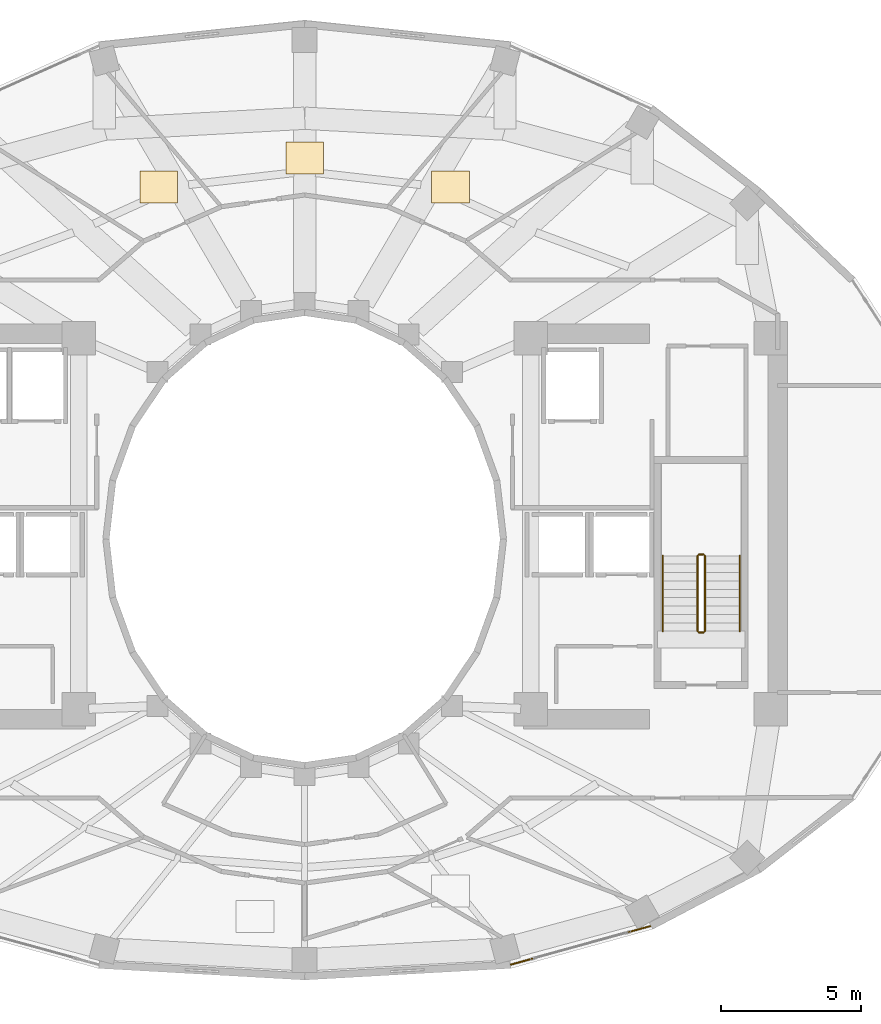
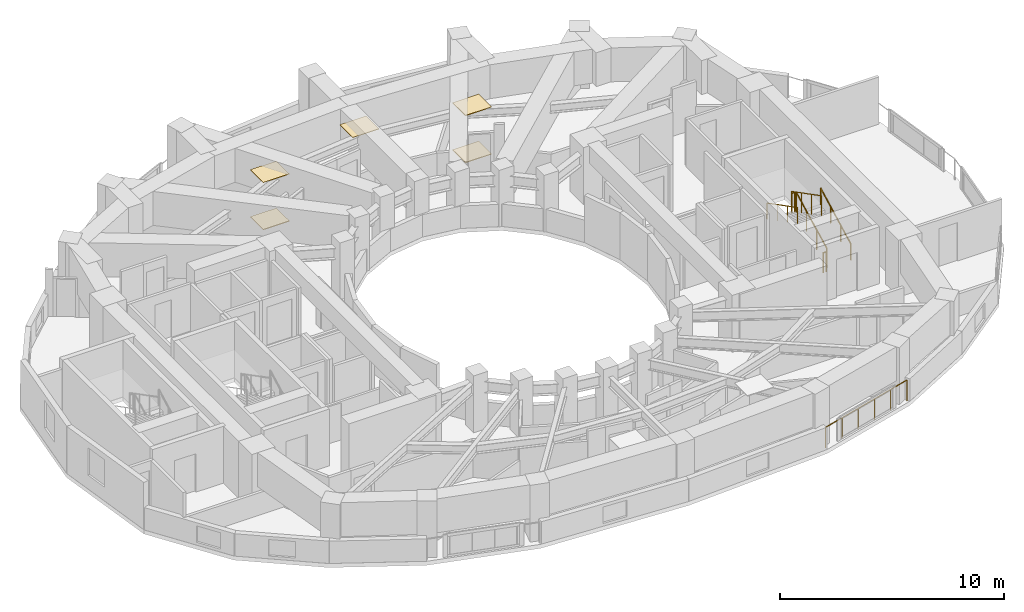
# One storey, part 19 of 20: 7 railings, 5 coverings.
"""IFC4 building model written with IfcOpenShell, lengths in metres."""

from ifc_helpers import new_model, si_unit, direction, frame, origin, origin_2d, place, context, subcontext, project, spatial, polyline, circle, outline, extrude, material, layer, layer_set, type_object, element, save


model = new_model("IFC4")

# Units and contexts
model_context = context("Model", 3, precision=1e-05, world=origin(), true_north=direction((0.0, 1.0)))
body_context = subcontext(model_context, "Body", "Model", "MODEL_VIEW")
ifc_project = project(units=[si_unit("LENGTHUNIT", "METRE"), si_unit("AREAUNIT", "SQUARE_METRE"), si_unit("VOLUMEUNIT", "CUBIC_METRE"), si_unit("PLANEANGLEUNIT", "RADIAN"), si_unit("MASSUNIT", "GRAM", prefix="KILO")], contexts=[model_context])

# Site, building, storey
site_placement = place(None, origin())
site = spatial("IfcSite", under=ifc_project, at=site_placement, CompositionType="ELEMENT")
building_placement = place(site_placement, origin())
building = spatial("IfcBuilding", under=site, at=building_placement, Name="Solvane Sanctuary Tower", CompositionType="ELEMENT")
storey_placement = place(building_placement, frame((0.0, 0.0, 159.10009765625)))
storey = spatial("IfcBuildingStorey", under=building, at=storey_placement, Name="L48", CompositionType="ELEMENT", Elevation=159.10009765625)

# Coverings
ifc_material_1 = material(Name="Acoustic Gypsum Partition Board")
ifc_layer_1 = layer(ifc_material_1, 0.02490234375, Name="Acoustic Gypsum Partition Board")
ifc_layer_set_1 = layer_set([ifc_layer_1], Name="Acoustic Gypsum Partition Board")
covering_type_1 = type_object("IfcCoveringType", Name="Covering CLG-ACOUST", PredefinedType="CEILING", material=ifc_layer_set_1)
covering_1_placement = place(storey_placement, frame((0.0, 0.0, 2.56982421875)))
element("IfcCovering", 1, at=covering_1_placement, inside=storey, type_object=covering_type_1, Name="L48 Unit Acoustic Ceiling Panel 1", PredefinedType="CEILING", context=body_context, shape_type="SweptSolid", body=[
    extrude(outline(polyline([(36.549072265625, 35.035888671875), (37.89892578125, 35.035888671875), (37.89892578125, 36.18603515625), (36.549072265625, 36.18603515625), (36.549072265625, 35.035888671875)])), origin(), (0.0, 0.0, 1.0), 0.030029296875),
])
covering_2_placement = place(storey_placement, frame((0.0, 0.0, 2.56982421875)))
element("IfcCovering", 2, at=covering_2_placement, inside=storey, type_object=covering_type_1, Name="L48 Unit Acoustic Ceiling Panel 2", PredefinedType="CEILING", context=body_context, shape_type="SweptSolid", body=[
    extrude(outline(polyline([(31.324951171875, 36.074951171875), (32.675048828125, 36.074951171875), (32.675048828125, 37.22509765625), (31.324951171875, 37.22509765625), (31.324951171875, 36.074951171875)])), origin(), (0.0, 0.0, 1.0), 0.030029296875),
])
covering_3_placement = place(storey_placement, frame((0.0, 0.0, 2.56982421875)))
element("IfcCovering", 3, at=covering_3_placement, inside=storey, type_object=covering_type_1, Name="L48 Unit Acoustic Ceiling Panel 3", PredefinedType="CEILING", context=body_context, shape_type="SweptSolid", body=[
    extrude(outline(polyline([(26.10107421875, 35.035888671875), (27.450927734375, 35.035888671875), (27.450927734375, 36.18603515625), (26.10107421875, 36.18603515625), (26.10107421875, 35.035888671875)])), origin(), (0.0, 0.0, 1.0), 0.030029296875),
])
ifc_material_2 = material(Name="Ceramic Tile Finish")
ifc_layer_2 = layer(ifc_material_2, 0.030029296875, Name="Ceramic Tile Finish")
ifc_layer_set_2 = layer_set([ifc_layer_2], Name="Ceramic Tile Finish")
covering_type_2 = type_object("IfcCoveringType", Name="Covering FLR-TERRAZZO", PredefinedType="FLOORING", material=ifc_layer_set_2)
covering_4_placement = place(storey_placement, origin())
element("IfcCovering", 4, at=covering_4_placement, inside=storey, type_object=covering_type_2, Name="L48 Unit Terrazzo Inlay 1", PredefinedType="FLOORING", context=body_context, shape_type="SweptSolid", body=[
    extrude(outline(polyline([(36.549072265625, 35.035888671875), (37.89892578125, 35.035888671875), (37.89892578125, 36.18603515625), (36.549072265625, 36.18603515625), (36.549072265625, 35.035888671875)])), origin(), (0.0, 0.0, 1.0), 0.034912109375),
])
covering_5_placement = place(storey_placement, origin())
element("IfcCovering", 5, at=covering_5_placement, inside=storey, type_object=covering_type_2, Name="L48 Unit Terrazzo Inlay 3", PredefinedType="FLOORING", context=body_context, shape_type="SweptSolid", body=[
    extrude(outline(polyline([(26.10107421875, 35.035888671875), (27.450927734375, 35.035888671875), (27.450927734375, 36.18603515625), (26.10107421875, 36.18603515625), (26.10107421875, 35.035888671875)])), origin(), (0.0, 0.0, 1.0), 0.034912109375),
])

# Railings
ifc_material_3 = material(Name="Architectural Stainless Steel 316", Category="steel")
railing_type_1 = type_object("IfcRailingType", Name="Railing GR-BALC-1150", PredefinedType="BALUSTRADE", material=ifc_material_3)
railing_1_placement = place(storey_placement, frame((39.39404296875, 7.75146484375, 0.0)))
element("IfcRailing", 6, at=railing_1_placement, inside=storey, type_object=railing_type_1, Name="L48 Curtain-Wall Perimeter Sill Guard 19", PredefinedType="BALUSTRADE", context=body_context, shape_type="SweptSolid", body=[
    extrude(circle(Radius=0.02392578125, at=origin_2d()), frame((0.0, 0.0, 1.1259765625), z_axis=(0.963963847171, 0.26603327113, 0.0), x_axis=(-0.26603327113, 0.963963847171, 0.0)), (0.0, 0.0, 1.0), 5.1767578125),
    extrude(circle(Radius=0.02099609375, at=origin_2d()), origin(), (0.0, 0.0, 1.0), 1.101806640625),
    extrude(circle(Radius=0.02099609375, at=origin_2d()), frame((0.998046875, 0.275390625, 0.0)), (0.0, 0.0, 1.0), 1.101806640625),
    extrude(circle(Radius=0.02099609375, at=origin_2d()), frame((1.99609375, 0.55078125, 0.0)), (0.0, 0.0, 1.0), 1.101806640625),
    extrude(circle(Radius=0.02099609375, at=origin_2d()), frame((2.994140625, 0.826416015625, 0.0)), (0.0, 0.0, 1.0), 1.101806640625),
    extrude(circle(Radius=0.02099609375, at=origin_2d()), frame((3.9921875, 1.101806640625, 0.0)), (0.0, 0.0, 1.0), 1.101806640625),
    extrude(circle(Radius=0.02099609375, at=origin_2d()), frame((4.990234375, 1.377197265625, 0.0)), (0.0, 0.0, 1.0), 1.101806640625),
])
railing_2_placement = place(storey_placement, frame((46.340087890625, 19.699951171875, 0.15478515625)))
element("IfcRailing", 7, at=railing_2_placement, inside=storey, type_object=railing_type_1, Name="L48 ST-2 stair guard 1", PredefinedType="BALUSTRADE", context=body_context, shape_type="SweptSolid", body=[
    extrude(circle(Radius=0.02392578125, at=origin_2d()), frame((0.0, 0.0, 1.076171875), z_axis=(0.0, 0.888419900624, 0.459031676658), x_axis=(-1.0, 0.0, 0.0)), (0.0, 0.0, 1.0), 3.0390625),
    extrude(circle(Radius=0.02099609375, at=origin_2d()), origin(), (0.0, 0.0, 1.0), 1.052001953125),
    extrude(circle(Radius=0.02099609375, at=origin_2d()), frame((0.0, 0.89990234375, 0.465087890625)), (0.0, 0.0, 1.0), 1.052001953125),
    extrude(circle(Radius=0.02099609375, at=origin_2d()), frame((0.0, 1.800048828125, 0.929931640625)), (0.0, 0.0, 1.0), 1.052001953125),
    extrude(circle(Radius=0.02099609375, at=origin_2d()), frame((0.0, 2.699951171875, 1.39501953125)), (0.0, 0.0, 1.0), 1.052001953125),
])
railing_3_placement = place(storey_placement, frame((46.2900390625, 22.449951171875, 1.5498046875)))
element("IfcRailing", 8, at=railing_3_placement, inside=storey, type_object=railing_type_1, Name="L48 ST-2 stair guard 2", PredefinedType="BALUSTRADE", context=body_context, shape_type="SweptSolid", body=[
    extrude(circle(Radius=0.02392578125, at=origin_2d()), frame((0.0, 0.0, 1.076171875), z_axis=(-1.0, 0.0, 0.0), x_axis=(0.0, -1.0, 0.0)), (0.0, 0.0, 1.0), 0.16015625),
    extrude(circle(Radius=0.02099609375, at=origin_2d()), origin(), (0.0, 0.0, 1.0), 1.052001953125),
    extrude(circle(Radius=0.02099609375, at=origin_2d()), frame((-0.16015625, 0.0, 0.0)), (0.0, 0.0, 1.0), 1.052001953125),
])
railing_4_placement = place(storey_placement, frame((46.080078125, 22.39990234375, 1.704833984375)))
element("IfcRailing", 9, at=railing_4_placement, inside=storey, type_object=railing_type_1, Name="L48 ST-2 stair guard 3", PredefinedType="BALUSTRADE", context=body_context, shape_type="SweptSolid", body=[
    extrude(circle(Radius=0.02392578125, at=origin_2d()), frame((0.0, 0.0, 1.076171875), z_axis=(0.0, -0.888419900624, 0.459031676658), x_axis=(1.0, 0.0, 0.0)), (0.0, 0.0, 1.0), 3.0390625),
    extrude(circle(Radius=0.02099609375, at=origin_2d()), origin(), (0.0, 0.0, 1.0), 1.052001953125),
    extrude(circle(Radius=0.02099609375, at=origin_2d()), frame((0.0, -0.89990234375, 0.465087890625)), (0.0, 0.0, 1.0), 1.052001953125),
    extrude(circle(Radius=0.02099609375, at=origin_2d()), frame((0.0, -1.800048828125, 0.929931640625)), (0.0, 0.0, 1.0), 1.052001953125),
    extrude(circle(Radius=0.02099609375, at=origin_2d()), frame((0.0, -2.699951171875, 1.39501953125)), (0.0, 0.0, 1.0), 1.052001953125),
])
railing_5_placement = place(storey_placement, frame((46.2900390625, 19.64990234375, 0.0)))
element("IfcRailing", 10, at=railing_5_placement, inside=storey, type_object=railing_type_1, Name="L48 ST-2 stair guard 4", PredefinedType="BALUSTRADE", context=body_context, shape_type="SweptSolid", body=[
    extrude(circle(Radius=0.02392578125, at=origin_2d()), frame((0.0, 0.0, 1.076171875), z_axis=(-1.0, 0.0, 0.0), x_axis=(0.0, -1.0, 0.0)), (0.0, 0.0, 1.0), 0.16015625),
    extrude(circle(Radius=0.02099609375, at=origin_2d()), origin(), (0.0, 0.0, 1.0), 1.052001953125),
    extrude(circle(Radius=0.02099609375, at=origin_2d()), frame((-0.16015625, 0.0, 0.0)), (0.0, 0.0, 1.0), 1.052001953125),
])
railing_type_2 = type_object("IfcRailingType", Name="Railing HR-STAIR-920", PredefinedType="HANDRAIL", material=ifc_material_3)
railing_6_placement = place(storey_placement, frame((47.590087890625, 19.699951171875, 0.15478515625)))
element("IfcRailing", 11, at=railing_6_placement, inside=storey, type_object=railing_type_2, Name="L48 ST-2 stair handrail 1", PredefinedType="HANDRAIL", context=body_context, shape_type="SweptSolid", body=[
    extrude(circle(Radius=0.02392578125, at=origin_2d()), frame((0.0, 0.0, 0.8759765625), z_axis=(0.0, 0.888419900624, 0.459031676658), x_axis=(-1.0, 0.0, 0.0)), (0.0, 0.0, 1.0), 3.0390625),
    extrude(circle(Radius=0.02099609375, at=origin_2d()), origin(), (0.0, 0.0, 1.0), 0.851806640625),
    extrude(circle(Radius=0.02099609375, at=origin_2d()), frame((0.0, 0.89990234375, 0.465087890625)), (0.0, 0.0, 1.0), 0.851806640625),
    extrude(circle(Radius=0.02099609375, at=origin_2d()), frame((0.0, 1.800048828125, 0.929931640625)), (0.0, 0.0, 1.0), 0.851806640625),
    extrude(circle(Radius=0.02099609375, at=origin_2d()), frame((0.0, 2.699951171875, 1.39501953125)), (0.0, 0.0, 1.0), 0.851806640625),
])
railing_7_placement = place(storey_placement, frame((44.830078125, 22.39990234375, 1.704833984375)))
element("IfcRailing", 12, at=railing_7_placement, inside=storey, type_object=railing_type_2, Name="L48 ST-2 stair handrail 2", PredefinedType="HANDRAIL", context=body_context, shape_type="SweptSolid", body=[
    extrude(circle(Radius=0.02392578125, at=origin_2d()), frame((0.0, 0.0, 0.8759765625), z_axis=(0.0, -0.888419900624, 0.459031676658), x_axis=(1.0, 0.0, 0.0)), (0.0, 0.0, 1.0), 3.0390625),
    extrude(circle(Radius=0.02099609375, at=origin_2d()), origin(), (0.0, 0.0, 1.0), 0.851806640625),
    extrude(circle(Radius=0.02099609375, at=origin_2d()), frame((0.0, -0.89990234375, 0.465087890625)), (0.0, 0.0, 1.0), 0.851806640625),
    extrude(circle(Radius=0.02099609375, at=origin_2d()), frame((0.0, -1.800048828125, 0.929931640625)), (0.0, 0.0, 1.0), 0.851806640625),
    extrude(circle(Radius=0.02099609375, at=origin_2d()), frame((0.0, -2.699951171875, 1.39501953125)), (0.0, 0.0, 1.0), 0.851806640625),
])

save(model, "model.ifc")
